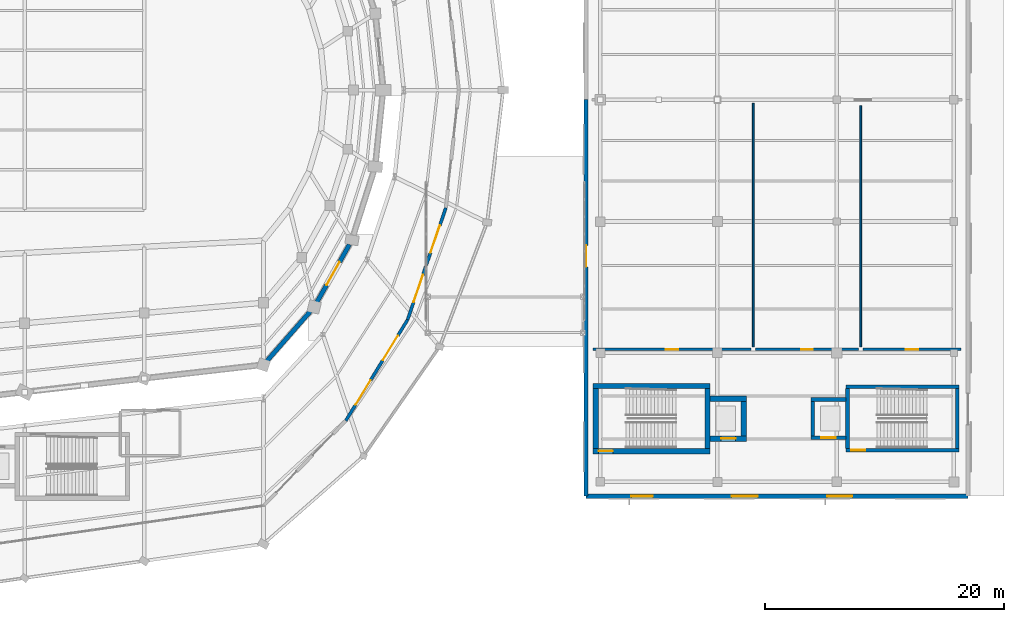
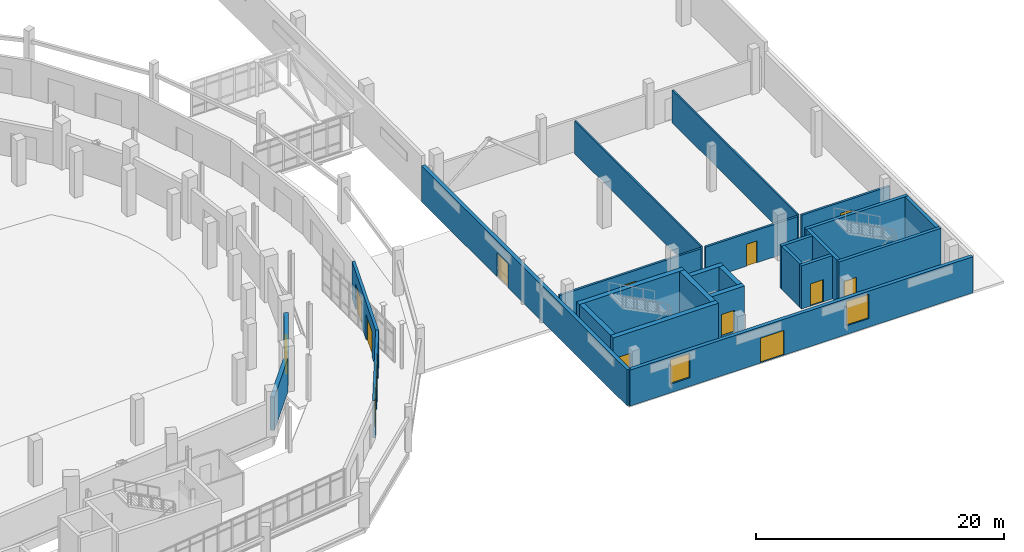
# One storey, part 107 of 122: 25 walls, 14 doors, 2 windows, 16 openings.
"""IFC4 building model written with IfcOpenShell, lengths in metres."""

from ifc_helpers import new_model, si_unit, direction, frame, frame_2d, origin, place, context, subcontext, project, spatial, rectangle, extrude, material, layer, layer_set, type_object, element, fill, save


model = new_model("IFC4")

# Units and contexts
model_context = context("Model", 3, precision=1e-05, world=origin(), true_north=direction((0.0, 1.0)))
body_context = subcontext(model_context, "Body", "Model", "MODEL_VIEW")
ifc_project = project(units=[si_unit("LENGTHUNIT", "METRE"), si_unit("AREAUNIT", "SQUARE_METRE"), si_unit("VOLUMEUNIT", "CUBIC_METRE"), si_unit("PLANEANGLEUNIT", "RADIAN"), si_unit("MASSUNIT", "GRAM", prefix="KILO")], contexts=[model_context])

# Site, building, storey
site_placement = place(None, origin())
site = spatial("IfcSite", under=ifc_project, at=site_placement, CompositionType="ELEMENT")
building_placement = place(site_placement, origin())
building = spatial("IfcBuilding", under=site, at=building_placement, Name="Sohan Crest Arena", CompositionType="ELEMENT")
storey_placement = place(building_placement, origin())
storey = spatial("IfcBuildingStorey", under=building, at=storey_placement, Name="L00", CompositionType="ELEMENT", Elevation=0.0)

# Wall, openings, doors
ifc_material_1 = material(Name="Margalla limestone ashlar envelope wall", Category="masonry")
ifc_layer_1 = layer(ifc_material_1, 0.260009765625, Name="Margalla limestone ashlar envelope wall")
ifc_layer_set_1 = layer_set([ifc_layer_1], Name="Margalla limestone ashlar envelope wall")
wall_type_1 = type_object("IfcWallType", Name="WAL-EW01", PredefinedType="SOLIDWALL", material=ifc_layer_set_1)
wall_1_placement = place(storey_placement, frame((174.889892578125, 50.322021484375, 0.0), z_axis=(0.0, 0.0, 1.0), x_axis=(0.522040848649, 0.852920484185, 0.0)))
wall_1 = element("IfcWall", 1, at=wall_1_placement, inside=storey, type_object=wall_type_1, Name="External wall EW-080", PredefinedType="SOLIDWALL", context=body_context, shape_type="SweptSolid", body=[
    extrude(rectangle(XDim=9.909423828125, YDim=0.260009765625, at=frame_2d((4.95458984375, 0.0))), origin(), (0.0, 0.0, 1.0), 3.679931640625),
])
opening_1_placement = place(wall_1_placement, frame((1.574951171875, 0.0, 0.0)))
opening_1 = element("IfcOpeningElement", 2, at=opening_1_placement, cuts=wall_1, Name="Opening G09", PredefinedType="OPENING", context=body_context, shape_type="SweptSolid", body=[
    extrude(rectangle(XDim=2.39990234375, YDim=2.5, at=frame_2d((1.199951171875, 1.25))), frame((0.0, 0.139892578125, 0.0), z_axis=(0.0, -1.0, 0.0), x_axis=(1.0, 0.0, 0.0)), (0.0, 0.0, 1.0), 0.280029296875),
])
opening_2_placement = place(wall_1_placement, frame((5.93505859375, 0.0, 0.0)))
opening_2 = element("IfcOpeningElement", 3, at=opening_2_placement, cuts=wall_1, Name="Opening G10", PredefinedType="OPENING", context=body_context, shape_type="SweptSolid", body=[
    extrude(rectangle(XDim=2.39990234375, YDim=2.5, at=frame_2d((1.199951171875, 1.25))), frame((0.0, 0.139892578125, 0.0), z_axis=(0.0, -1.0, 0.0), x_axis=(1.0, 0.0, 0.0)), (0.0, 0.0, 1.0), 0.280029296875),
])
ifc_material_2 = material(Name="Galvanised steel acoustic final exit door", Category="steel")
door_type_1 = type_object("IfcDoorType", Name="DR-G01", OperationType="DOUBLE_DOOR_SINGLE_SWING", PredefinedType="DOOR", material=ifc_material_2)
door_1_placement = place(opening_1_placement, frame((2.39990234375, 0.0, 0.0), z_axis=(0.0, 0.0, 1.0), x_axis=(-1.0, 0.0, 0.0)))
door_1 = element("IfcDoor", 4, at=door_1_placement, inside=storey, type_object=door_type_1, Name="Pedestrian exit gate G09", OperationType="DOUBLE_DOOR_SINGLE_SWING", OverallHeight=2.5, OverallWidth=2.39990234375, PredefinedType="DOOR", context=body_context, shape_type="SweptSolid", body=[
    extrude(rectangle(XDim=2.39990234375, YDim=2.5, at=frame_2d((1.199951171875, 1.25))), frame((0.0, 0.02490234375, 0.0), z_axis=(0.0, -1.0, 0.0), x_axis=(1.0, 0.0, 0.0)), (0.0, 0.0, 1.0), 0.050048828125),
])
fill(opening_1, door_1)
door_2_placement = place(opening_2_placement, frame((2.39990234375, 0.0, 0.0), z_axis=(0.0, 0.0, 1.0), x_axis=(-1.0, 0.0, 0.0)))
door_2 = element("IfcDoor", 5, at=door_2_placement, inside=storey, type_object=door_type_1, Name="Pedestrian exit gate G10", OperationType="DOUBLE_DOOR_SINGLE_SWING", OverallHeight=2.5, OverallWidth=2.39990234375, PredefinedType="DOOR", context=body_context, shape_type="SweptSolid", body=[
    extrude(rectangle(XDim=2.39990234375, YDim=2.5, at=frame_2d((1.199951171875, 1.25))), frame((0.0, 0.02490234375, 0.0), z_axis=(0.0, -1.0, 0.0), x_axis=(1.0, 0.0, 0.0)), (0.0, 0.0, 1.0), 0.050048828125),
])
fill(opening_2, door_2)

wall_2_placement = place(storey_placement, frame((180.06298828125, 58.77392578125, 0.0), z_axis=(0.0, 0.0, 1.0), x_axis=(0.323550690773, 0.946210838292, 0.0)))
wall_2 = element("IfcWall", 6, at=wall_2_placement, inside=storey, type_object=wall_type_1, Name="External wall EW-081", PredefinedType="SOLIDWALL", context=body_context, shape_type="SweptSolid", body=[
    extrude(rectangle(XDim=9.908935546875, YDim=0.260009765625, at=frame_2d((4.95458984375, 0.0))), origin(), (0.0, 0.0, 1.0), 3.679931640625),
])
opening_3_placement = place(wall_2_placement, frame((1.574951171875, 0.0, 0.0)))
opening_3 = element("IfcOpeningElement", 7, at=opening_3_placement, cuts=wall_2, Name="Opening G11", PredefinedType="OPENING", context=body_context, shape_type="SweptSolid", body=[
    extrude(rectangle(XDim=2.39990234375, YDim=2.5, at=frame_2d((1.199951171875, 1.25))), frame((0.0, 0.139892578125, 0.0), z_axis=(0.0, -1.0, 0.0), x_axis=(1.0, 0.0, 0.0)), (0.0, 0.0, 1.0), 0.280029296875),
])
opening_4_placement = place(wall_2_placement, frame((5.93408203125, 0.0, 0.0)))
opening_4 = element("IfcOpeningElement", 8, at=opening_4_placement, cuts=wall_2, Name="Opening G12", PredefinedType="OPENING", context=body_context, shape_type="SweptSolid", body=[
    extrude(rectangle(XDim=2.39990234375, YDim=2.5, at=frame_2d((1.199951171875, 1.25))), frame((0.0, 0.139892578125, 0.0), z_axis=(0.0, -1.0, 0.0), x_axis=(1.0, 0.0, 0.0)), (0.0, 0.0, 1.0), 0.280029296875),
])
door_3_placement = place(opening_3_placement, frame((2.39990234375, 0.0, 0.0), z_axis=(0.0, 0.0, 1.0), x_axis=(-1.0, 0.0, 0.0)))
door_3 = element("IfcDoor", 9, at=door_3_placement, inside=storey, type_object=door_type_1, Name="Pedestrian exit gate G11", OperationType="DOUBLE_DOOR_SINGLE_SWING", OverallHeight=2.5, OverallWidth=2.39990234375, PredefinedType="DOOR", context=body_context, shape_type="SweptSolid", body=[
    extrude(rectangle(XDim=2.39990234375, YDim=2.5, at=frame_2d((1.199951171875, 1.25))), frame((0.0, 0.02490234375, 0.0), z_axis=(0.0, -1.0, 0.0), x_axis=(1.0, 0.0, 0.0)), (0.0, 0.0, 1.0), 0.050048828125),
])
fill(opening_3, door_3)
door_4_placement = place(opening_4_placement, frame((2.39990234375, 0.0, 0.0), z_axis=(0.0, 0.0, 1.0), x_axis=(-1.0, 0.0, 0.0)))
door_4 = element("IfcDoor", 10, at=door_4_placement, inside=storey, type_object=door_type_1, Name="Pedestrian exit gate G12", OperationType="DOUBLE_DOOR_SINGLE_SWING", OverallHeight=2.5, OverallWidth=2.39990234375, PredefinedType="DOOR", context=body_context, shape_type="SweptSolid", body=[
    extrude(rectangle(XDim=2.39990234375, YDim=2.5, at=frame_2d((1.199951171875, 1.25))), frame((0.0, 0.02490234375, 0.0), z_axis=(0.0, -1.0, 0.0), x_axis=(1.0, 0.0, 0.0)), (0.0, 0.0, 1.0), 0.050048828125),
])
fill(opening_4, door_4)

# Wall, openings, door, windows
ifc_material_3 = material(Name="Honed dark basalt stone cladding wall", Category="masonry")
ifc_layer_2 = layer(ifc_material_3, 0.340087890625, Name="Honed dark basalt stone cladding wall")
ifc_layer_set_2 = layer_set([ifc_layer_2], Name="Honed dark basalt stone cladding wall")
wall_type_2 = type_object("IfcWallType", Name="WAL-EW04", PredefinedType="SOLIDWALL", material=ifc_layer_set_2)
wall_3_placement = place(storey_placement, frame((195.0, 44.0, 0.0), z_axis=(0.0, 0.0, 1.0), x_axis=(1.0, 0.0, 0.0)))
wall_3 = element("IfcWall", 11, at=wall_3_placement, inside=storey, type_object=wall_type_2, Name="External wall EW-102", PredefinedType="SOLIDWALL", context=body_context, shape_type="SweptSolid", body=[
    extrude(rectangle(XDim=32.0, YDim=0.340087890625, at=frame_2d((16.0, 0.0))), origin(), (0.0, 0.0, 1.0), 3.550048828125),
])
opening_5_placement = place(wall_3_placement, frame((12.199951171875, 0.0, 0.0)))
opening_5 = element("IfcOpeningElement", 12, at=opening_5_placement, cuts=wall_3, Name="Opening G27", PredefinedType="OPENING", context=body_context, shape_type="SweptSolid", body=[
    extrude(rectangle(XDim=2.199951171875, YDim=2.449951171875, at=frame_2d((1.10009765625, 1.22509765625))), frame((0.0, 0.179931640625, 0.0), z_axis=(0.0, -1.0, 0.0), x_axis=(1.0, 0.0, 0.0)), (0.0, 0.0, 1.0), 0.360107421875),
])
opening_6_placement = place(wall_3_placement, frame((3.800048828125, 0.0, 0.85009765625)))
opening_6 = element("IfcOpeningElement", 13, at=opening_6_placement, cuts=wall_3, Name="Opening W-001", PredefinedType="OPENING", context=body_context, shape_type="SweptSolid", body=[
    extrude(rectangle(XDim=1.800048828125, YDim=2.39990234375, at=frame_2d((0.89990234375, 1.199951171875))), frame((0.0, 0.179931640625, 0.0), z_axis=(0.0, -1.0, 0.0), x_axis=(1.0, 0.0, 0.0)), (0.0, 0.0, 1.0), 0.360107421875),
])
opening_7_placement = place(wall_3_placement, frame((20.199951171875, 0.0, 0.85009765625)))
opening_7 = element("IfcOpeningElement", 14, at=opening_7_placement, cuts=wall_3, Name="Opening W-002", PredefinedType="OPENING", context=body_context, shape_type="SweptSolid", body=[
    extrude(rectangle(XDim=2.10009765625, YDim=2.39990234375, at=frame_2d((1.050048828125, 1.199951171875))), frame((0.0, 0.179931640625, 0.0), z_axis=(0.0, -1.0, 0.0), x_axis=(1.0, 0.0, 0.0)), (0.0, 0.0, 1.0), 0.360107421875),
])
door_type_2 = type_object("IfcDoorType", Name="DR-G02", OperationType="DOUBLE_DOOR_SINGLE_SWING", PredefinedType="DOOR", material=ifc_material_2)
door_5_placement = place(opening_5_placement, frame((2.199951171875, 0.0, 0.0), z_axis=(0.0, 0.0, 1.0), x_axis=(-1.0, 0.0, 0.0)))
door_5 = element("IfcDoor", 15, at=door_5_placement, inside=storey, type_object=door_type_2, Name="Pedestrian exit gate G27", OperationType="DOUBLE_DOOR_SINGLE_SWING", OverallHeight=2.449951171875, OverallWidth=2.199951171875, PredefinedType="DOOR", context=body_context, shape_type="SweptSolid", body=[
    extrude(rectangle(XDim=2.199951171875, YDim=2.449951171875, at=frame_2d((1.10009765625, 1.22509765625))), frame((0.0, 0.02490234375, 0.0), z_axis=(0.0, -1.0, 0.0), x_axis=(1.0, 0.0, 0.0)), (0.0, 0.0, 1.0), 0.050048828125),
])
fill(opening_5, door_5)
ifc_material_4 = material(Name="Low-E double-glazed insulated glass", Category="glass")
window_type_1 = type_object("IfcWindowType", Name="WIN-W01", PartitioningType="SINGLE_PANEL", PredefinedType="WINDOW", material=ifc_material_4)
window_1_placement = place(opening_6_placement, origin())
window_1 = element("IfcWindow", 16, at=window_1_placement, inside=storey, type_object=window_type_1, Name="Community wing window W-001", OverallHeight=2.39990234375, OverallWidth=1.800048828125, PartitioningType="SINGLE_PANEL", PredefinedType="WINDOW", context=body_context, shape_type="SweptSolid", body=[
    extrude(rectangle(XDim=1.800048828125, YDim=2.39990234375, at=frame_2d((0.89990234375, 1.199951171875))), frame((0.0, 0.030029296875, 0.0), z_axis=(0.0, -1.0, 0.0), x_axis=(1.0, 0.0, 0.0)), (0.0, 0.0, 1.0), 0.06005859375),
])
fill(opening_6, window_1)
window_type_2 = type_object("IfcWindowType", Name="WIN-W02", PartitioningType="SINGLE_PANEL", PredefinedType="WINDOW", material=ifc_material_4)
window_2_placement = place(opening_7_placement, origin())
window_2 = element("IfcWindow", 17, at=window_2_placement, inside=storey, type_object=window_type_2, Name="Community wing window W-002", OverallHeight=2.39990234375, OverallWidth=2.10009765625, PartitioningType="SINGLE_PANEL", PredefinedType="WINDOW", context=body_context, shape_type="SweptSolid", body=[
    extrude(rectangle(XDim=2.10009765625, YDim=2.39990234375, at=frame_2d((1.050048828125, 1.199951171875))), frame((0.0, 0.030029296875, 0.0), z_axis=(0.0, -1.0, 0.0), x_axis=(1.0, 0.0, 0.0)), (0.0, 0.0, 1.0), 0.06005859375),
])
fill(opening_7, window_2)

# Wall, opening, door
wall_4_placement = place(storey_placement, frame((195.0, 77.199951171875, 0.0), z_axis=(0.0, 0.0, 1.0), x_axis=(0.0, -1.0, 0.0)))
wall_4 = element("IfcWall", 18, at=wall_4_placement, inside=storey, type_object=wall_type_2, Name="External wall EW-107", PredefinedType="SOLIDWALL", context=body_context, shape_type="SweptSolid", body=[
    extrude(rectangle(XDim=33.199951171875, YDim=0.340087890625, at=frame_2d((16.60009765625, 0.0))), origin(), (0.0, 0.0, 1.0), 3.550048828125),
])
opening_8_placement = place(wall_4_placement, frame((12.199951171875, 0.0, 0.0)))
opening_8 = element("IfcOpeningElement", 19, at=opening_8_placement, cuts=wall_4, Name="Opening V4B-L00-64", PredefinedType="OPENING", context=body_context, shape_type="SweptSolid", body=[
    extrude(rectangle(XDim=1.800048828125, YDim=2.35009765625, at=frame_2d((0.89990234375, 1.175048828125))), frame((0.0, 0.179931640625, 0.0), z_axis=(0.0, -1.0, 0.0), x_axis=(1.0, 0.0, 0.0)), (0.0, 0.0, 1.0), 0.360107421875),
])
ifc_material_5 = material(Name="Glazed aluminium terrace access door", Category="aluminium")
door_type_3 = type_object("IfcDoorType", Name="DR-ED01", OperationType="DOUBLE_DOOR_SINGLE_SWING", PredefinedType="DOOR", material=ifc_material_5)
door_6_placement = place(opening_8_placement, frame((1.800048828125, 0.0, 0.0), z_axis=(0.0, 0.0, 1.0), x_axis=(-1.0, 0.0, 0.0)))
door_6 = element("IfcDoor", 20, at=door_6_placement, inside=storey, type_object=door_type_3, Name="Practice hall bridge door V4B-L00-64", OperationType="DOUBLE_DOOR_SINGLE_SWING", OverallHeight=2.35009765625, OverallWidth=1.800048828125, PredefinedType="DOOR", context=body_context, shape_type="SweptSolid", body=[
    extrude(rectangle(XDim=1.800048828125, YDim=2.35009765625, at=frame_2d((0.89990234375, 1.175048828125))), frame((0.0, 0.02490234375, 0.0), z_axis=(0.0, -1.0, 0.0), x_axis=(1.0, 0.0, 0.0)), (0.0, 0.0, 1.0), 0.050048828125),
])
fill(opening_8, door_6)

# Wall
ifc_material_6 = material(Name="Acoustic insulated bowl drum enclosure wall", Category="masonry")
ifc_layer_3 = layer(ifc_material_6, 0.3701171875, Name="Acoustic insulated bowl drum enclosure wall")
ifc_layer_set_3 = layer_set([ifc_layer_3], Name="Acoustic insulated bowl drum enclosure wall")
wall_type_3 = type_object("IfcWallType", Name="WAL-EW05", PredefinedType="SOLIDWALL", material=ifc_layer_set_3)
wall_5_placement = place(storey_placement, frame((168.2900390625, 55.3310546875, 0.0), z_axis=(0.0, 0.0, 1.0), x_axis=(0.658706624818, 0.752399881991, 0.0)))
element("IfcWall", 21, at=wall_5_placement, inside=storey, type_object=wall_type_3, Name="Acoustic bowl drum wall BW-L00-20", PredefinedType="SOLIDWALL", context=body_context, shape_type="SweptSolid", body=[
    extrude(rectangle(XDim=5.560546875, YDim=0.3701171875, at=frame_2d((2.7802734375, 0.0))), origin(), (0.0, 0.0, 1.0), 3.300048828125),
])

# Wall, opening, door
wall_6_placement = place(storey_placement, frame((172.458984375, 60.22900390625, 0.0), z_axis=(0.0, 0.0, 1.0), x_axis=(0.491617455844, 0.870811275254, 0.0)))
wall_6 = element("IfcWall", 22, at=wall_6_placement, inside=storey, type_object=wall_type_3, Name="Acoustic bowl drum wall BW-L00-21", PredefinedType="SOLIDWALL", context=body_context, shape_type="SweptSolid", body=[
    extrude(rectangle(XDim=5.5615234375, YDim=0.3701171875, at=frame_2d((2.78076171875, 0.0))), origin(), (0.0, 0.0, 1.0), 3.300048828125),
])
opening_9_placement = place(wall_6_placement, frame((1.680908203125, 0.0, 0.0)))
opening_9 = element("IfcOpeningElement", 23, at=opening_9_placement, cuts=wall_6, Name="Opening VD-L00-21", PredefinedType="OPENING", context=body_context, shape_type="SweptSolid", body=[
    extrude(rectangle(XDim=2.199951171875, YDim=2.300048828125, at=frame_2d((1.10009765625, 1.14990234375))), frame((0.0, 0.195068359375, 0.0), z_axis=(0.0, -1.0, 0.0), x_axis=(1.0, 0.0, 0.0)), (0.0, 0.0, 1.0), 0.39013671875),
])
ifc_material_7 = material(Name="Fire-rated steel double escape door", Category="steel")
door_type_4 = type_object("IfcDoorType", Name="DR-FD01", OperationType="DOUBLE_DOOR_SINGLE_SWING", PredefinedType="DOOR", material=ifc_material_7)
door_7_placement = place(opening_9_placement, origin())
door_7 = element("IfcDoor", 24, at=door_7_placement, inside=storey, type_object=door_type_4, Name="Bowl vomitory portal fire door VD-L00-21", OperationType="DOUBLE_DOOR_SINGLE_SWING", OverallHeight=2.300048828125, OverallWidth=2.199951171875, PredefinedType="DOOR", context=body_context, shape_type="SweptSolid", body=[
    extrude(rectangle(XDim=2.199951171875, YDim=2.300048828125, at=frame_2d((1.10009765625, 1.14990234375))), frame((0.0, 0.02490234375, 0.0), z_axis=(0.0, -1.0, 0.0), x_axis=(1.0, 0.0, 0.0)), (0.0, 0.0, 1.0), 0.050048828125),
])
fill(opening_9, door_7)

ifc_material_8 = material(Name="Fire-rated masonry blockwork compartment wall", Category="masonry")
ifc_layer_4 = layer(ifc_material_8, 0.199951171875, Name="Fire-rated masonry blockwork compartment wall")
ifc_layer_set_4 = layer_set([ifc_layer_4], Name="Fire-rated masonry blockwork compartment wall")
wall_type_4 = type_object("IfcWallType", Name="WAL-FW01", PredefinedType="PARTITIONING", material=ifc_layer_set_4)
wall_7_placement = place(storey_placement, frame((195.60009765625, 56.300048828125, 0.0), z_axis=(0.0, 0.0, 1.0), x_axis=(1.0, 0.0, 0.0)))
wall_7 = element("IfcWall", 25, at=wall_7_placement, inside=storey, type_object=wall_type_4, Name="Interior partition wall PW-0854", PredefinedType="PARTITIONING", context=body_context, shape_type="SweptSolid", body=[
    extrude(rectangle(XDim=13.199951171875, YDim=0.199951171875, at=frame_2d((6.60009765625, 0.0))), origin(), (0.0, 0.0, 1.0), 3.219970703125),
])
opening_10_placement = place(wall_7_placement, frame((6.074951171875, 0.0, 0.0)))
opening_10 = element("IfcOpeningElement", 26, at=opening_10_placement, cuts=wall_7, Name="Opening CH-0236", PredefinedType="OPENING", context=body_context, shape_type="SweptSolid", body=[
    extrude(rectangle(XDim=1.050048828125, YDim=2.14990234375, at=frame_2d((0.52490234375, 1.074951171875))), frame((0.0, 0.10986328125, 0.0), z_axis=(0.0, -1.0, 0.0), x_axis=(1.0, 0.0, 0.0)), (0.0, 0.0, 1.0), 0.219970703125),
])
ifc_material_9 = material(Name="Fire-rated acoustic suite entrance door", Category="wood")
door_type_5 = type_object("IfcDoorType", Name="DR-FD05", OperationType="NOTDEFINED", PredefinedType="DOOR", material=ifc_material_9)
door_8_placement = place(opening_10_placement, origin())
door_8 = element("IfcDoor", 27, at=door_8_placement, inside=storey, type_object=door_type_5, Name="Practice changing fire door CH-0236", OperationType="SINGLE_SWING_RIGHT", OverallHeight=2.14990234375, OverallWidth=1.050048828125, PredefinedType="DOOR", context=body_context, shape_type="SweptSolid", body=[
    extrude(rectangle(XDim=1.050048828125, YDim=2.14990234375, at=frame_2d((0.52490234375, 1.074951171875))), frame((0.0, 0.02490234375, 0.0), z_axis=(0.0, -1.0, 0.0), x_axis=(1.0, 0.0, 0.0)), (0.0, 0.0, 1.0), 0.050048828125),
])
fill(opening_10, door_8)

wall_8_placement = place(storey_placement, frame((209.199951171875, 56.300048828125, 0.0), z_axis=(0.0, 0.0, 1.0), x_axis=(1.0, 0.0, 0.0)))
wall_8 = element("IfcWall", 28, at=wall_8_placement, inside=storey, type_object=wall_type_4, Name="Interior partition wall PW-0856", PredefinedType="PARTITIONING", context=body_context, shape_type="SweptSolid", body=[
    extrude(rectangle(XDim=8.60009765625, YDim=0.199951171875, at=frame_2d((4.300048828125, 0.0))), origin(), (0.0, 0.0, 1.0), 3.219970703125),
])
opening_11_placement = place(wall_8_placement, frame((3.81005859375, 0.0, 0.0)))
opening_11 = element("IfcOpeningElement", 29, at=opening_11_placement, cuts=wall_8, Name="Opening ST-0237", PredefinedType="OPENING", context=body_context, shape_type="SweptSolid", body=[
    extrude(rectangle(XDim=0.97998046875, YDim=2.14990234375, at=frame_2d((0.489990234375, 1.074951171875))), frame((0.0, 0.10986328125, 0.0), z_axis=(0.0, -1.0, 0.0), x_axis=(1.0, 0.0, 0.0)), (0.0, 0.0, 1.0), 0.219970703125),
])
ifc_material_10 = material(Name="Fire-rated plant and store room door", Category="wood")
door_type_6 = type_object("IfcDoorType", Name="DR-FD06", OperationType="NOTDEFINED", PredefinedType="DOOR", material=ifc_material_10)
door_9_placement = place(opening_11_placement, origin())
door_9 = element("IfcDoor", 30, at=door_9_placement, inside=storey, type_object=door_type_6, Name="Practice store fire door ST-0237", OperationType="SINGLE_SWING_LEFT", OverallHeight=2.14990234375, OverallWidth=0.97998046875, PredefinedType="DOOR", context=body_context, shape_type="SweptSolid", body=[
    extrude(rectangle(XDim=0.97998046875, YDim=2.14990234375, at=frame_2d((0.489990234375, 1.074951171875))), frame((0.0, 0.02490234375, 0.0), z_axis=(0.0, -1.0, 0.0), x_axis=(1.0, 0.0, 0.0)), (0.0, 0.0, 1.0), 0.050048828125),
])
fill(opening_11, door_9)

wall_9_placement = place(storey_placement, frame((218.199951171875, 56.300048828125, 0.0), z_axis=(0.0, 0.0, 1.0), x_axis=(1.0, 0.0, 0.0)))
wall_9 = element("IfcWall", 31, at=wall_9_placement, inside=storey, type_object=wall_type_4, Name="Interior partition wall PW-0857", PredefinedType="PARTITIONING", context=body_context, shape_type="SweptSolid", body=[
    extrude(rectangle(XDim=8.199951171875, YDim=0.199951171875, at=frame_2d((4.10009765625, 0.0))), origin(), (0.0, 0.0, 1.0), 3.219970703125),
])
opening_12_placement = place(wall_9_placement, frame((3.574951171875, 0.0, 0.0)))
opening_12 = element("IfcOpeningElement", 32, at=opening_12_placement, cuts=wall_9, Name="Opening WC-0238", PredefinedType="OPENING", context=body_context, shape_type="SweptSolid", body=[
    extrude(rectangle(XDim=1.050048828125, YDim=2.14990234375, at=frame_2d((0.52490234375, 1.074951171875))), frame((0.0, 0.10986328125, 0.0), z_axis=(0.0, -1.0, 0.0), x_axis=(1.0, 0.0, 0.0)), (0.0, 0.0, 1.0), 0.219970703125),
])
door_10_placement = place(opening_12_placement, origin())
door_10 = element("IfcDoor", 33, at=door_10_placement, inside=storey, type_object=door_type_5, Name="Practice accessible WC fire door WC-0238", OperationType="SINGLE_SWING_RIGHT", OverallHeight=2.14990234375, OverallWidth=1.050048828125, PredefinedType="DOOR", context=body_context, shape_type="SweptSolid", body=[
    extrude(rectangle(XDim=1.050048828125, YDim=2.14990234375, at=frame_2d((0.52490234375, 1.074951171875))), frame((0.0, 0.02490234375, 0.0), z_axis=(0.0, -1.0, 0.0), x_axis=(1.0, 0.0, 0.0)), (0.0, 0.0, 1.0), 0.050048828125),
])
fill(opening_12, door_10)

# Walls
ifc_material_11 = material(Name="Wet-area moisture-resistant masonry partition", Category="masonry")
ifc_layer_5 = layer(ifc_material_11, 0.14990234375, Name="Wet-area moisture-resistant masonry partition")
ifc_layer_set_5 = layer_set([ifc_layer_5], Name="Wet-area moisture-resistant masonry partition")
wall_type_5 = type_object("IfcWallType", Name="WAL-PW03", PredefinedType="PARTITIONING", material=ifc_layer_set_5)
wall_10_placement = place(storey_placement, frame((209.0, 56.5, 0.0), z_axis=(0.0, 0.0, 1.0), x_axis=(0.0, 1.0, 0.0)))
element("IfcWall", 34, at=wall_10_placement, inside=storey, type_object=wall_type_5, Name="Interior partition wall PW-0853", PredefinedType="PARTITIONING", context=body_context, shape_type="SweptSolid", body=[
    extrude(rectangle(XDim=20.39990234375, YDim=0.14990234375, at=frame_2d((10.199951171875, 0.0))), origin(), (0.0, 0.0, 1.0), 3.219970703125),
])
wall_11_placement = place(storey_placement, frame((218.0, 56.5, 0.0), z_axis=(0.0, 0.0, 1.0), x_axis=(0.0, 1.0, 0.0)))
element("IfcWall", 35, at=wall_11_placement, inside=storey, type_object=wall_type_5, Name="Interior partition wall PW-0855", PredefinedType="PARTITIONING", context=body_context, shape_type="SweptSolid", body=[
    extrude(rectangle(XDim=20.199951171875, YDim=0.14990234375, at=frame_2d((10.10009765625, 0.0))), origin(), (0.0, 0.0, 1.0), 3.219970703125),
])
ifc_material_12 = material(Name="Concrete C40/50", Category="concrete")
ifc_layer_6 = layer(ifc_material_12, 0.300048828125, Name="Concrete C40/50")
ifc_layer_set_6 = layer_set([ifc_layer_6], Name="Concrete C40/50")
wall_type_6 = type_object("IfcWallType", Name="WAL-SW01", PredefinedType="SHEAR", material=ifc_layer_set_6)
for number, where, z_axis, x_axis, name in (
    (36, (216.89990234375, 48.0, 0.0), (0.0, 0.0, 1.0), (0.0, 1.0, 0.0), "Core shear wall SW-0621"),
    (37, (226.10009765625, 48.0, 0.0), (0.0, 0.0, 1.0), (0.0, 1.0, 0.0), "Core shear wall SW-0622"),
):
    element("IfcWall", number, at=place(storey_placement, frame(where, z_axis=z_axis, x_axis=x_axis)), inside=storey, type_object=wall_type_6, Name=name, PredefinedType="SHEAR", context=body_context, shape_type="SweptSolid", body=[
        extrude(rectangle(XDim=5.0, YDim=0.300048828125, at=frame_2d((2.5, 0.0))), origin(), (0.0, 0.0, 1.0), 4.27001953125),
    ])

# Wall, opening, door
wall_12_placement = place(storey_placement, frame((216.75, 47.85009765625, 0.0), z_axis=(0.0, 0.0, 1.0), x_axis=(1.0, 0.0, 0.0)))
wall_12 = element("IfcWall", 38, at=wall_12_placement, inside=storey, type_object=wall_type_6, Name="Core shear wall SW-0623", PredefinedType="SHEAR", context=body_context, shape_type="SweptSolid", body=[
    extrude(rectangle(XDim=9.5, YDim=0.300048828125, at=frame_2d((4.75, 0.0))), origin(), (0.0, 0.0, 1.0), 4.27001953125),
])
opening_13_placement = place(wall_12_placement, frame((0.449951171875, 0.0, 0.0)))
opening_13 = element("IfcOpeningElement", 39, at=opening_13_placement, cuts=wall_12, Name="Opening SD-0167", PredefinedType="OPENING", context=body_context, shape_type="SweptSolid", body=[
    extrude(rectangle(XDim=1.199951171875, YDim=2.199951171875, at=frame_2d((0.60009765625, 1.10009765625))), frame((0.0, 0.159912109375, 0.0), z_axis=(0.0, -1.0, 0.0), x_axis=(1.0, 0.0, 0.0)), (0.0, 0.0, 1.0), 0.320068359375),
])
ifc_material_13 = material(Name="Fire-rated steel stair and lobby door", Category="steel")
door_type_7 = type_object("IfcDoorType", Name="DR-FD04", OperationType="NOTDEFINED", PredefinedType="DOOR", material=ifc_material_13)
door_11_placement = place(opening_13_placement, frame((1.199951171875, 0.0, 0.0), z_axis=(0.0, 0.0, 1.0), x_axis=(-1.0, 0.0, 0.0)))
door_11 = element("IfcDoor", 40, at=door_11_placement, inside=storey, type_object=door_type_7, Name="Protected stair door SD-0167", OperationType="SINGLE_SWING_LEFT", OverallHeight=2.199951171875, OverallWidth=1.199951171875, PredefinedType="DOOR", context=body_context, shape_type="SweptSolid", body=[
    extrude(rectangle(XDim=1.199951171875, YDim=2.199951171875, at=frame_2d((0.60009765625, 1.10009765625))), frame((0.0, 0.02490234375, 0.0), z_axis=(0.0, -1.0, 0.0), x_axis=(1.0, 0.0, 0.0)), (0.0, 0.0, 1.0), 0.050048828125),
])
fill(opening_13, door_11)

# Walls
wall_13_placement = place(storey_placement, frame((216.75, 53.14990234375, 0.0), z_axis=(0.0, 0.0, 1.0), x_axis=(1.0, 0.0, 0.0)))
element("IfcWall", 41, at=wall_13_placement, inside=storey, type_object=wall_type_6, Name="Core shear wall SW-0624", PredefinedType="SHEAR", context=body_context, shape_type="SweptSolid", body=[
    extrude(rectangle(XDim=9.5, YDim=0.300048828125, at=frame_2d((4.75, 0.0))), origin(), (0.0, 0.0, 1.0), 4.27001953125),
])
wall_14_placement = place(storey_placement, frame((214.0, 49.050048828125, 0.0), z_axis=(0.0, 0.0, 1.0), x_axis=(0.0, 1.0, 0.0)))
element("IfcWall", 42, at=wall_14_placement, inside=storey, type_object=wall_type_6, Name="Core shear wall SW-0625", PredefinedType="SHEAR", context=body_context, shape_type="SweptSolid", body=[
    extrude(rectangle(XDim=2.89990234375, YDim=0.300048828125, at=frame_2d((1.449951171875, 0.0))), origin(), (0.0, 0.0, 1.0), 4.27001953125),
])

# Wall, opening, door
wall_15_placement = place(storey_placement, frame((213.85009765625, 48.89990234375, 0.0), z_axis=(0.0, 0.0, 1.0), x_axis=(1.0, 0.0, 0.0)))
wall_15 = element("IfcWall", 43, at=wall_15_placement, inside=storey, type_object=wall_type_6, Name="Core shear wall SW-0626", PredefinedType="SHEAR", context=body_context, shape_type="SweptSolid", body=[
    extrude(rectangle(XDim=2.89990234375, YDim=0.300048828125, at=frame_2d((1.449951171875, 0.0))), origin(), (0.0, 0.0, 1.0), 4.27001953125),
])
opening_14_placement = place(wall_15_placement, frame((0.85009765625, 0.0, 0.0)))
opening_14 = element("IfcOpeningElement", 44, at=opening_14_placement, cuts=wall_15, Name="Opening LD-LP12-L00", PredefinedType="OPENING", context=body_context, shape_type="SweptSolid", body=[
    extrude(rectangle(XDim=1.199951171875, YDim=2.199951171875, at=frame_2d((0.60009765625, 1.10009765625))), frame((0.0, 0.159912109375, 0.0), z_axis=(0.0, -1.0, 0.0), x_axis=(1.0, 0.0, 0.0)), (0.0, 0.0, 1.0), 0.320068359375),
])
ifc_material_14 = material(Name="Stainless steel passenger lift landing door", Category="steel")
door_type_8 = type_object("IfcDoorType", Name="DR-LD02", OperationType="SLIDING_TO_LEFT", PredefinedType="DOOR", material=ifc_material_14)
door_12_placement = place(opening_14_placement, origin())
door_12 = element("IfcDoor", 45, at=door_12_placement, inside=storey, type_object=door_type_8, Name="Sliding lift landing door LD-LP12-L00", OperationType="SLIDING_TO_LEFT", OverallHeight=2.199951171875, OverallWidth=1.199951171875, PredefinedType="DOOR", context=body_context, shape_type="SweptSolid", body=[
    extrude(rectangle(XDim=1.199951171875, YDim=2.199951171875, at=frame_2d((0.60009765625, 1.10009765625))), frame((0.0, 0.02490234375, 0.0), z_axis=(0.0, -1.0, 0.0), x_axis=(1.0, 0.0, 0.0)), (0.0, 0.0, 1.0), 0.050048828125),
])
fill(opening_14, door_12)

# Walls
wall_16_placement = place(storey_placement, frame((213.85009765625, 52.10009765625, 0.0), z_axis=(0.0, 0.0, 1.0), x_axis=(1.0, 0.0, 0.0)))
element("IfcWall", 46, at=wall_16_placement, inside=storey, type_object=wall_type_6, Name="Core shear wall SW-0627", PredefinedType="SHEAR", context=body_context, shape_type="SweptSolid", body=[
    extrude(rectangle(XDim=2.89990234375, YDim=0.300048828125, at=frame_2d((1.449951171875, 0.0))), origin(), (0.0, 0.0, 1.0), 4.27001953125),
])
ifc_layer_7 = layer(ifc_material_12, 0.449951171875, Name="Concrete C40/50")
ifc_layer_set_7 = layer_set([ifc_layer_7], Name="Concrete C40/50")
wall_type_7 = type_object("IfcWallType", Name="WAL-SW04", PredefinedType="SHEAR", material=ifc_layer_set_7)
for number, where, z_axis, x_axis, name in (
    (47, (195.824951171875, 48.0, 0.0), (0.0, 0.0, 1.0), (0.0, 1.0, 0.0), "Core shear wall SW-0589"),
    (48, (205.175048828125, 48.0, 0.0), (0.0, 0.0, 1.0), (0.0, 1.0, 0.0), "Core shear wall SW-0590"),
):
    element("IfcWall", number, at=place(storey_placement, frame(where, z_axis=z_axis, x_axis=x_axis)), inside=storey, type_object=wall_type_7, Name=name, PredefinedType="SHEAR", context=body_context, shape_type="SweptSolid", body=[
        extrude(rectangle(XDim=5.0, YDim=0.449951171875, at=frame_2d((2.5, 0.0))), origin(), (0.0, 0.0, 1.0), 4.27001953125),
    ])

# Wall, opening, door
wall_17_placement = place(storey_placement, frame((195.60009765625, 47.77490234375, 0.0), z_axis=(0.0, 0.0, 1.0), x_axis=(1.0, 0.0, 0.0)))
wall_17 = element("IfcWall", 49, at=wall_17_placement, inside=storey, type_object=wall_type_7, Name="Core shear wall SW-0591", PredefinedType="SHEAR", context=body_context, shape_type="SweptSolid", body=[
    extrude(rectangle(XDim=9.7998046875, YDim=0.449951171875, at=frame_2d((4.89990234375, 0.0))), origin(), (0.0, 0.0, 1.0), 4.27001953125),
])
opening_15_placement = place(wall_17_placement, frame((0.449951171875, 0.0, 0.0)))
opening_15 = element("IfcOpeningElement", 50, at=opening_15_placement, cuts=wall_17, Name="Opening SD-0159", PredefinedType="OPENING", context=body_context, shape_type="SweptSolid", body=[
    extrude(rectangle(XDim=1.199951171875, YDim=2.199951171875, at=frame_2d((0.60009765625, 1.10009765625))), frame((0.0, 0.23486328125, 0.0), z_axis=(0.0, -1.0, 0.0), x_axis=(1.0, 0.0, 0.0)), (0.0, 0.0, 1.0), 0.469970703125),
])
door_13_placement = place(opening_15_placement, frame((1.199951171875, 0.0, 0.0), z_axis=(0.0, 0.0, 1.0), x_axis=(-1.0, 0.0, 0.0)))
door_13 = element("IfcDoor", 51, at=door_13_placement, inside=storey, type_object=door_type_7, Name="Protected stair door SD-0159", OperationType="SINGLE_SWING_LEFT", OverallHeight=2.199951171875, OverallWidth=1.199951171875, PredefinedType="DOOR", context=body_context, shape_type="SweptSolid", body=[
    extrude(rectangle(XDim=1.199951171875, YDim=2.199951171875, at=frame_2d((0.60009765625, 1.10009765625))), frame((0.0, 0.02490234375, 0.0), z_axis=(0.0, -1.0, 0.0), x_axis=(1.0, 0.0, 0.0)), (0.0, 0.0, 1.0), 0.050048828125),
])
fill(opening_15, door_13)

# Walls
wall_18_placement = place(storey_placement, frame((195.60009765625, 53.22509765625, 0.0), z_axis=(0.0, 0.0, 1.0), x_axis=(1.0, 0.0, 0.0)))
element("IfcWall", 52, at=wall_18_placement, inside=storey, type_object=wall_type_7, Name="Core shear wall SW-0592", PredefinedType="SHEAR", context=body_context, shape_type="SweptSolid", body=[
    extrude(rectangle(XDim=9.7998046875, YDim=0.449951171875, at=frame_2d((4.89990234375, 0.0))), origin(), (0.0, 0.0, 1.0), 4.27001953125),
])
wall_19_placement = place(storey_placement, frame((208.22509765625, 49.050048828125, 0.0), z_axis=(0.0, 0.0, 1.0), x_axis=(0.0, 1.0, 0.0)))
element("IfcWall", 53, at=wall_19_placement, inside=storey, type_object=wall_type_7, Name="Core shear wall SW-0593", PredefinedType="SHEAR", context=body_context, shape_type="SweptSolid", body=[
    extrude(rectangle(XDim=2.89990234375, YDim=0.449951171875, at=frame_2d((1.449951171875, 0.0))), origin(), (0.0, 0.0, 1.0), 4.27001953125),
])

# Wall, opening, door
wall_20_placement = place(storey_placement, frame((205.39990234375, 48.824951171875, 0.0), z_axis=(0.0, 0.0, 1.0), x_axis=(1.0, 0.0, 0.0)))
wall_20 = element("IfcWall", 54, at=wall_20_placement, inside=storey, type_object=wall_type_7, Name="Core shear wall SW-0594", PredefinedType="SHEAR", context=body_context, shape_type="SweptSolid", body=[
    extrude(rectangle(XDim=3.050048828125, YDim=0.449951171875, at=frame_2d((1.52490234375, 0.0))), origin(), (0.0, 0.0, 1.0), 4.27001953125),
])
opening_16_placement = place(wall_20_placement, frame((0.925048828125, 0.0, 0.0)))
opening_16 = element("IfcOpeningElement", 55, at=opening_16_placement, cuts=wall_20, Name="Opening LD-LP11-L00", PredefinedType="OPENING", context=body_context, shape_type="SweptSolid", body=[
    extrude(rectangle(XDim=1.199951171875, YDim=2.199951171875, at=frame_2d((0.60009765625, 1.10009765625))), frame((0.0, 0.23486328125, 0.0), z_axis=(0.0, -1.0, 0.0), x_axis=(1.0, 0.0, 0.0)), (0.0, 0.0, 1.0), 0.469970703125),
])
door_14_placement = place(opening_16_placement, origin())
door_14 = element("IfcDoor", 56, at=door_14_placement, inside=storey, type_object=door_type_8, Name="Sliding lift landing door LD-LP11-L00", OperationType="SLIDING_TO_LEFT", OverallHeight=2.199951171875, OverallWidth=1.199951171875, PredefinedType="DOOR", context=body_context, shape_type="SweptSolid", body=[
    extrude(rectangle(XDim=1.199951171875, YDim=2.199951171875, at=frame_2d((0.60009765625, 1.10009765625))), frame((0.0, 0.02490234375, 0.0), z_axis=(0.0, -1.0, 0.0), x_axis=(1.0, 0.0, 0.0)), (0.0, 0.0, 1.0), 0.050048828125),
])
fill(opening_16, door_14)

# Wall
wall_21_placement = place(storey_placement, frame((205.39990234375, 52.175048828125, 0.0), z_axis=(0.0, 0.0, 1.0), x_axis=(1.0, 0.0, 0.0)))
element("IfcWall", 57, at=wall_21_placement, inside=storey, type_object=wall_type_7, Name="Core shear wall SW-0595", PredefinedType="SHEAR", context=body_context, shape_type="SweptSolid", body=[
    extrude(rectangle(XDim=3.050048828125, YDim=0.449951171875, at=frame_2d((1.52490234375, 0.0))), origin(), (0.0, 0.0, 1.0), 4.27001953125),
])

save(model, "model.ifc")
